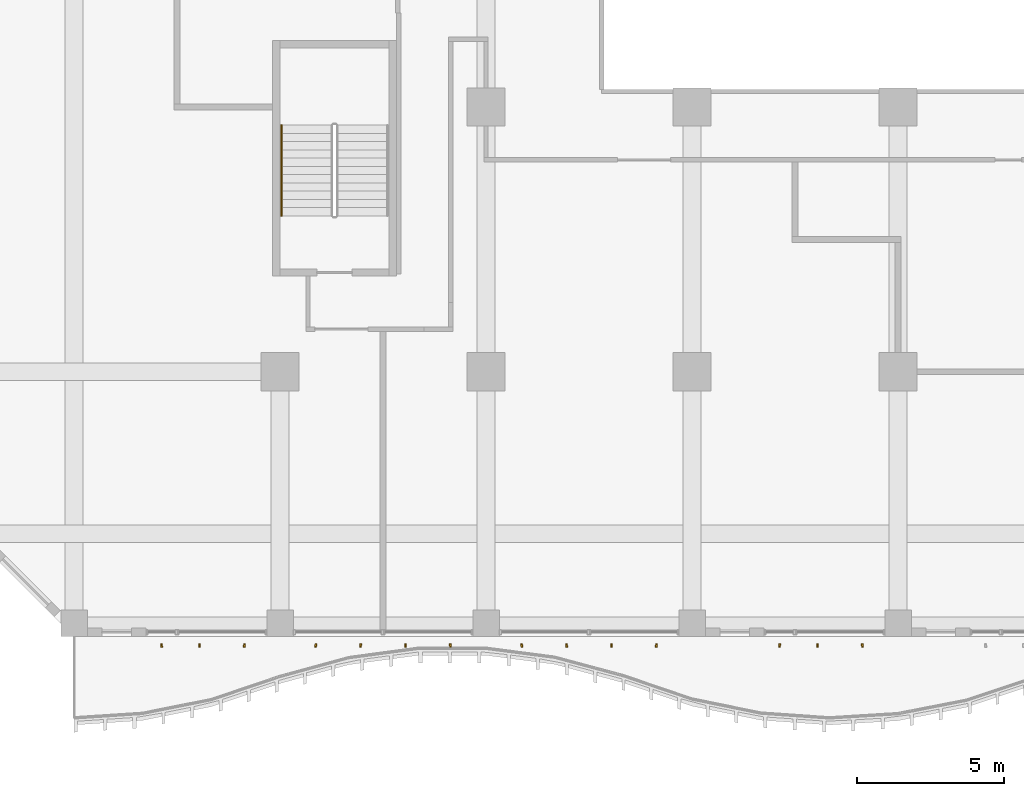
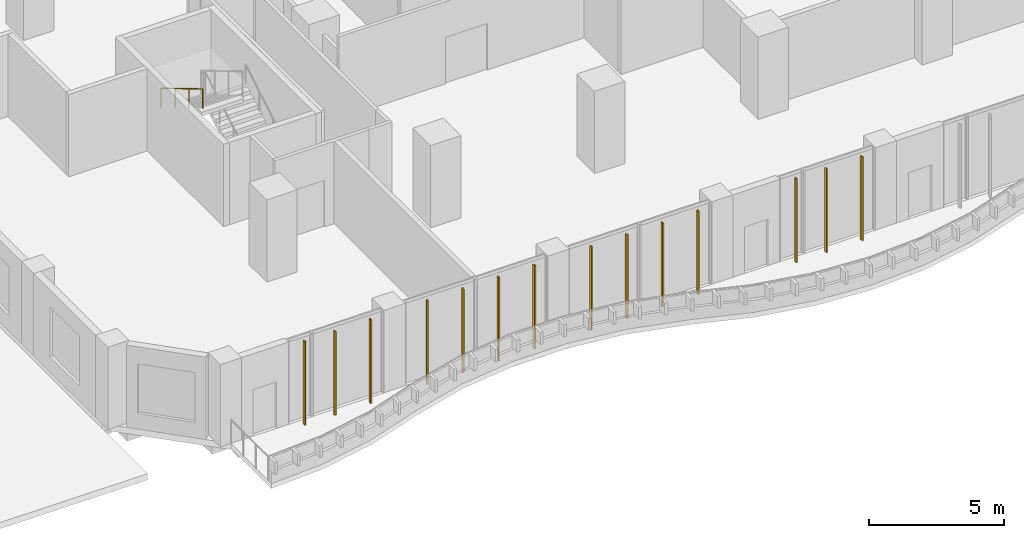
# One storey, part 22 of 29: 14 shading devices, 1 railing.
"""IFC4 building model written with IfcOpenShell, lengths in metres."""

from ifc_helpers import new_model, si_unit, direction, frame, origin, origin_2d, place, context, subcontext, project, spatial, rectangle, circle, extrude, source, transform, mapped, material, material_profile, profile_set, type_object, element, save


model = new_model("IFC4")

# Units and contexts
model_context = context("Model", 3, precision=1e-05, world=origin(), true_north=direction((0.0, 1.0)))
body_context = subcontext(model_context, "Body", "Model", "MODEL_VIEW")
ifc_project = project(units=[si_unit("LENGTHUNIT", "METRE"), si_unit("AREAUNIT", "SQUARE_METRE"), si_unit("VOLUMEUNIT", "CUBIC_METRE"), si_unit("PLANEANGLEUNIT", "RADIAN"), si_unit("MASSUNIT", "GRAM", prefix="KILO")], contexts=[model_context])

# Site, building, storey
site_placement = place(None, origin())
site = spatial("IfcSite", under=ifc_project, at=site_placement, CompositionType="ELEMENT")
building_placement = place(site_placement, origin())
building = spatial("IfcBuilding", under=site, at=building_placement, Name="Kilnfold Tower and Market Hall", CompositionType="ELEMENT")
storey_placement = place(building_placement, frame((0.0, 0.0, 27.0)))
storey = spatial("IfcBuildingStorey", under=building, at=storey_placement, Name="L05", CompositionType="ELEMENT", Elevation=27.0)

# Railing
ifc_material_1 = material(Name="Stainless steel 316", Category="steel")
railing_type = type_object("IfcRailingType", Name="CORE STAIR HANDRAIL 900", PredefinedType="HANDRAIL", material=ifc_material_1)
railing_placement = place(storey_placement, frame((-17.449951171875, -10.6201171875, 2.166748046875)))
element("IfcRailing", 1, at=railing_placement, inside=storey, type_object=railing_type, Name="L05 ST3 stair handrail 2", PredefinedType="HANDRAIL", context=body_context, shape_type="SweptSolid", body=[
    extrude(circle(Radius=0.02392578125, at=origin_2d()), frame((0.0, 0.0, 0.8759765625), z_axis=(0.0, -0.859290745958, 0.51148745235), x_axis=(1.0, 0.0, 0.0)), (0.0, 0.0, 1.0), 3.584228515625),
    extrude(circle(Radius=0.02099609375, at=origin_2d()), origin(), (0.0, 0.0, 1.0), 0.851806640625),
    extrude(circle(Radius=0.02099609375, at=origin_2d()), frame((0.0, -1.026611328125, 0.611083984375)), (0.0, 0.0, 1.0), 0.851806640625),
    extrude(circle(Radius=0.02099609375, at=origin_2d()), frame((0.0, -2.05322265625, 1.22216796875)), (0.0, 0.0, 1.0), 0.851806640625),
    extrude(circle(Radius=0.02099609375, at=origin_2d()), frame((0.0, -3.079833984375, 1.833251953125)), (0.0, 0.0, 1.0), 0.851806640625),
])

# Shading devices
ifc_material_2 = material(Name="Terracotta", Category="masonry")
ifc_material_profile = material_profile(ifc_material_2, rectangle(XDim=0.06005859375, YDim=0.1201171875, at=origin_2d()), Name="BAG 60x120")
ifc_profile_set = profile_set([ifc_material_profile], Name="Terracotta")
shading_device_type = type_object("IfcShadingDeviceType", Name="BAGUETTE", PredefinedType="USERDEFINED", material=ifc_profile_set)
shared_shape = source(origin(), body_context, "Body", "SweptSolid", [
    extrude(rectangle(XDim=0.06005859375, YDim=0.1201171875, at=origin_2d()), origin(), (0.0, 0.0, 1.0), 3.780029296875),
])
for number, where, z_axis, x_axis, name in (
    (2, (-21.52490234375, -28.300048828125, 0.0), (0.0, 0.0, 1.0), (0.99791685702, 0.064513149637, 0.0), "Terracotta baguette L05 S"),
    (3, (-20.237548828125, -28.300048828125, 0.0), (0.0, 0.0, 1.0), (0.999908261113, -0.013545086106, 0.0), "Terracotta baguette L05 S"),
    (4, (-18.71240234375, -28.300048828125, 0.0), (0.0, 0.0, 1.0), (0.99516726154, -0.098194305127, 0.0), "Terracotta baguette L05 S"),
    (5, (-16.28759765625, -28.300048828125, 0.0), (0.0, 0.0, 1.0), (0.991111824994, -0.133031388619, 0.0), "Terracotta baguette L05 S"),
    (6, (-14.762451171875, -28.300048828125, 0.0), (0.0, 0.0, 1.0), (0.99700893945, -0.077286316097, 0.0), "Terracotta baguette L05 S"),
    (7, (-13.237548828125, -28.300048828125, 0.0), (0.0, 0.0, 1.0), (0.999908261113, 0.013545086106, 0.0), "Terracotta baguette L05 S"),
    (8, (-11.71240234375, -28.300048828125, 0.0), (0.0, 0.0, 1.0), (0.99516726154, 0.098194305127, 0.0), "Terracotta baguette L05 S"),
    (9, (-9.28759765625, -28.300048828125, 0.0), (0.0, 0.0, 1.0), (0.991111824994, 0.133031388619, 0.0), "Terracotta baguette L05 S"),
    (10, (-7.762451171875, -28.300048828125, 0.0), (0.0, 0.0, 1.0), (0.99700893945, 0.077286316097, 0.0), "Terracotta baguette L05 S"),
    (11, (-6.237548828125, -28.300048828125, 0.0), (0.0, 0.0, 1.0), (0.999908261113, -0.013545086106, 0.0), "Terracotta baguette L05 S"),
    (12, (-4.71240234375, -28.300048828125, 0.0), (0.0, 0.0, 1.0), (0.99516726154, -0.098194305127, 0.0), "Terracotta baguette L05 S"),
    (13, (-0.52490234375, -28.300048828125, 0.0), (0.0, 0.0, 1.0), (0.99791685702, -0.064513149637, 0.0), "Terracotta baguette L05 S"),
    (14, (0.762451171875, -28.300048828125, 0.0), (0.0, 0.0, 1.0), (0.999908261113, 0.013545086106, 0.0), "Terracotta baguette L05 S"),
    (15, (2.28759765625, -28.300048828125, 0.0), (0.0, 0.0, 1.0), (0.99516726154, 0.098194305127, 0.0), "Terracotta baguette L05 S"),
):
    element("IfcShadingDevice", number, at=place(storey_placement, frame(where, z_axis=z_axis, x_axis=x_axis)), inside=storey, type_object=shading_device_type, Name=name, ObjectType="BAGUETTE", PredefinedType="USERDEFINED", context=body_context, shape_type="MappedRepresentation", body=[
        mapped(shared_shape, transform((0.0, 0.0, 0.0))),
    ])

save(model, "model.ifc")
